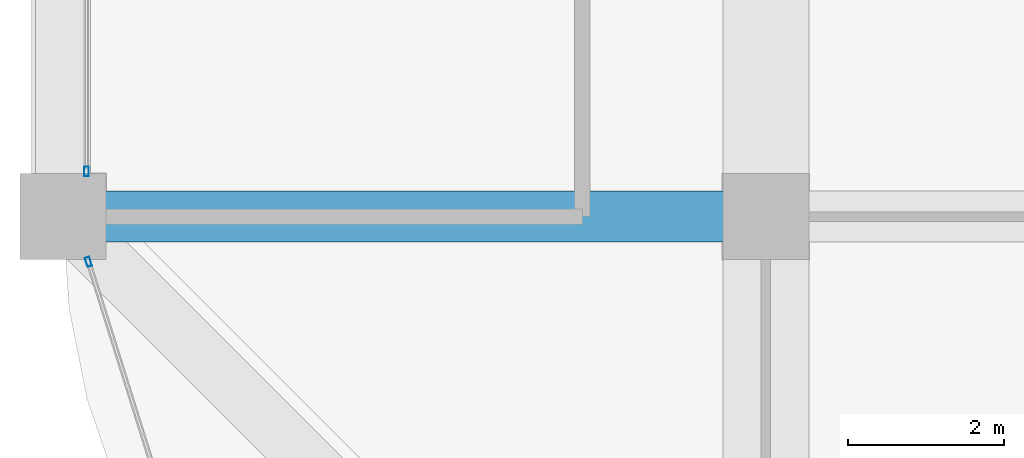
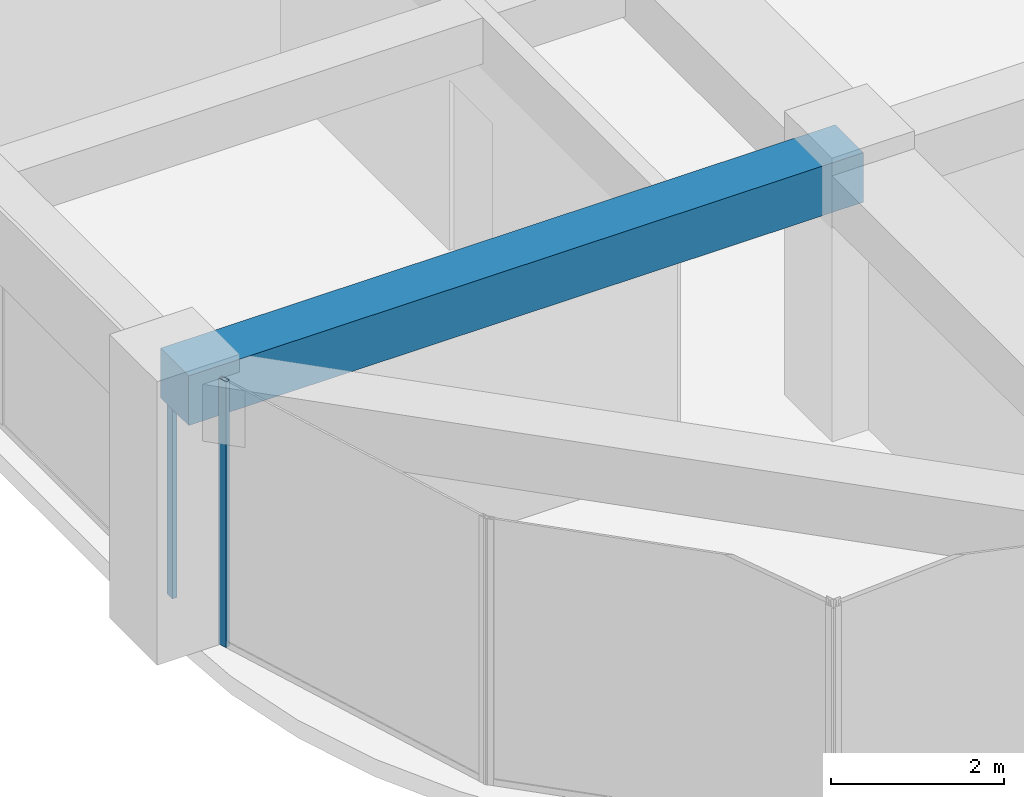
# One storey, part 6 of 44: 2 members, 1 beam, 2 elements without a shape of their own.
"""IFC4 building model written with IfcOpenShell, lengths in metres."""

from ifc_helpers import new_model, si_unit, direction, frame, origin, origin_2d, place, context, subcontext, project, spatial, rectangle, hollow_rectangle, extrude, material, material_profile, profile_set, type_object, element, aggregate, save


model = new_model("IFC4")

# Units and contexts
model_context = context("Model", 3, precision=1e-05, world=origin(), true_north=direction((0.0, 1.0)))
body_context = subcontext(model_context, "Body", "Model", "MODEL_VIEW")
ifc_project = project(units=[si_unit("LENGTHUNIT", "METRE"), si_unit("AREAUNIT", "SQUARE_METRE"), si_unit("VOLUMEUNIT", "CUBIC_METRE"), si_unit("PLANEANGLEUNIT", "RADIAN"), si_unit("MASSUNIT", "GRAM", prefix="KILO")], contexts=[model_context])

# Site, building, storey
site_placement = place(None, origin())
site = spatial("IfcSite", under=ifc_project, at=site_placement, CompositionType="ELEMENT")
building_placement = place(site_placement, origin())
building = spatial("IfcBuilding", under=site, at=building_placement, Name="Zorevar Civic Tower", CompositionType="ELEMENT")
storey_placement = place(building_placement, frame((0.0, 0.0, 267.39990234375)))
storey = spatial("IfcBuildingStorey", under=building, at=storey_placement, Name="L65", CompositionType="ELEMENT", Elevation=267.39990234375)

# Beam
ifc_material_1 = material(Name="Concrete C50/60", Category="concrete")
ifc_material_profile_1 = material_profile(ifc_material_1, rectangle(XDim=0.64990234375, YDim=0.699951171875, at=origin_2d()), Name="RC 650x700")
ifc_profile_set_1 = profile_set([ifc_material_profile_1], Name="Concrete C50/60")
beam_type = type_object("IfcBeamType", Name="Beam RC 650x700", PredefinedType="BEAM", material=ifc_profile_set_1)
beam_placement = place(storey_placement, frame((9.0, 9.0, 3.400146484375), z_axis=(1.0, 0.0, 0.0), x_axis=(0.0, 1.0, 0.0)))
element("IfcBeam", 1, at=beam_placement, inside=storey, type_object=beam_type, Name="Girder L66", PredefinedType="BEAM", context=body_context, shape_type="SweptSolid", body=[
    extrude(rectangle(XDim=0.64990234375, YDim=0.699951171875, at=origin_2d()), origin(), (0.0, 0.0, 1.0), 9.0),
])

# Curtain wall, member
ifc_material_2 = material(Name="Dark grey solar-control glass in black aluminium frame", Category="aluminium")
curtain_wall_type = type_object("IfcCurtainWallType", Name="Curtain wall CW5 top zone", PredefinedType="NOTDEFINED", material=ifc_material_2)
curtain_wall_1_placement = place(storey_placement, origin())
curtain_wall_1 = element("IfcCurtainWall", 2, at=curtain_wall_1_placement, inside=storey, type_object=curtain_wall_type, Name="CW5 L65", PredefinedType="NOTDEFINED")
ifc_material_3 = material(Name="Aluminium, black anodised", Category="aluminium")
ifc_material_profile_2 = material_profile(ifc_material_3, hollow_rectangle(XDim=0.06005859375, YDim=0.1201171875, WallThickness=0.0029296875, at=origin_2d()), Name="AL 120x60x3")
ifc_profile_set_2 = profile_set([ifc_material_profile_2], Name="Aluminium, black anodised")
member_type = type_object("IfcMemberType", Name="CW5 mullion AL 120x60x3", PredefinedType="MULLION", material=ifc_profile_set_2)
member_1_placement = place(storey_placement, frame((9.300048828125, 9.580078125, 0.0), z_axis=(0.0, 0.0, 1.0), x_axis=(-1.0, 0.0, 0.0)))
member_1 = element("IfcMember", 3, at=member_1_placement, type_object=member_type, Name="CW5 mullion 1", PredefinedType="MULLION", context=body_context, shape_type="SweptSolid", body=[
    extrude(hollow_rectangle(XDim=0.06005859375, YDim=0.1201171875, WallThickness=0.0029296875, at=origin_2d()), origin(), (0.0, 0.0, 1.0), 2.9501953125),
])
aggregate(curtain_wall_1, [member_1])

curtain_wall_2_placement = place(storey_placement, origin())
curtain_wall_2 = element("IfcCurtainWall", 4, at=curtain_wall_2_placement, inside=storey, type_object=curtain_wall_type, Name="CW5 L65", PredefinedType="NOTDEFINED")
member_2_placement = place(storey_placement, frame((9.326416015625, 8.42138671875, 0.0), z_axis=(0.0, 0.0, 1.0), x_axis=(0.954153437674, 0.299317920238, 0.0)))
member_2 = element("IfcMember", 5, at=member_2_placement, type_object=member_type, Name="CW5 mullion 1", PredefinedType="MULLION", context=body_context, shape_type="SweptSolid", body=[
    extrude(hollow_rectangle(XDim=0.06005859375, YDim=0.1201171875, WallThickness=0.0029296875, at=origin_2d()), origin(), (0.0, 0.0, 1.0), 3.75),
])
aggregate(curtain_wall_2, [member_2])

save(model, "model.ifc")
